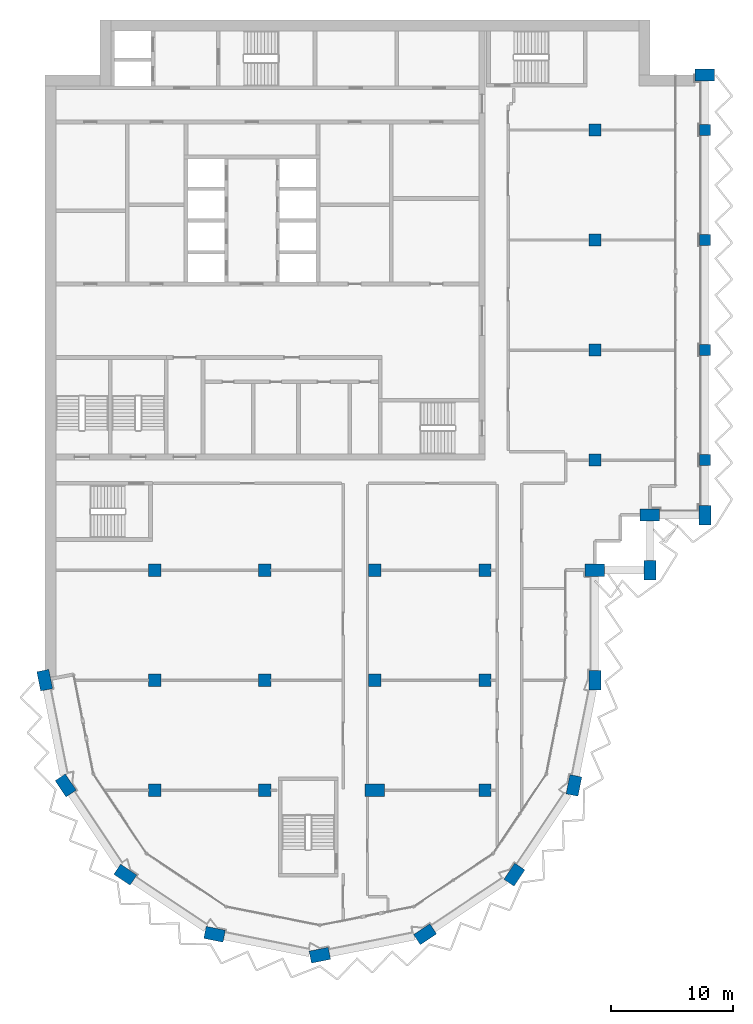
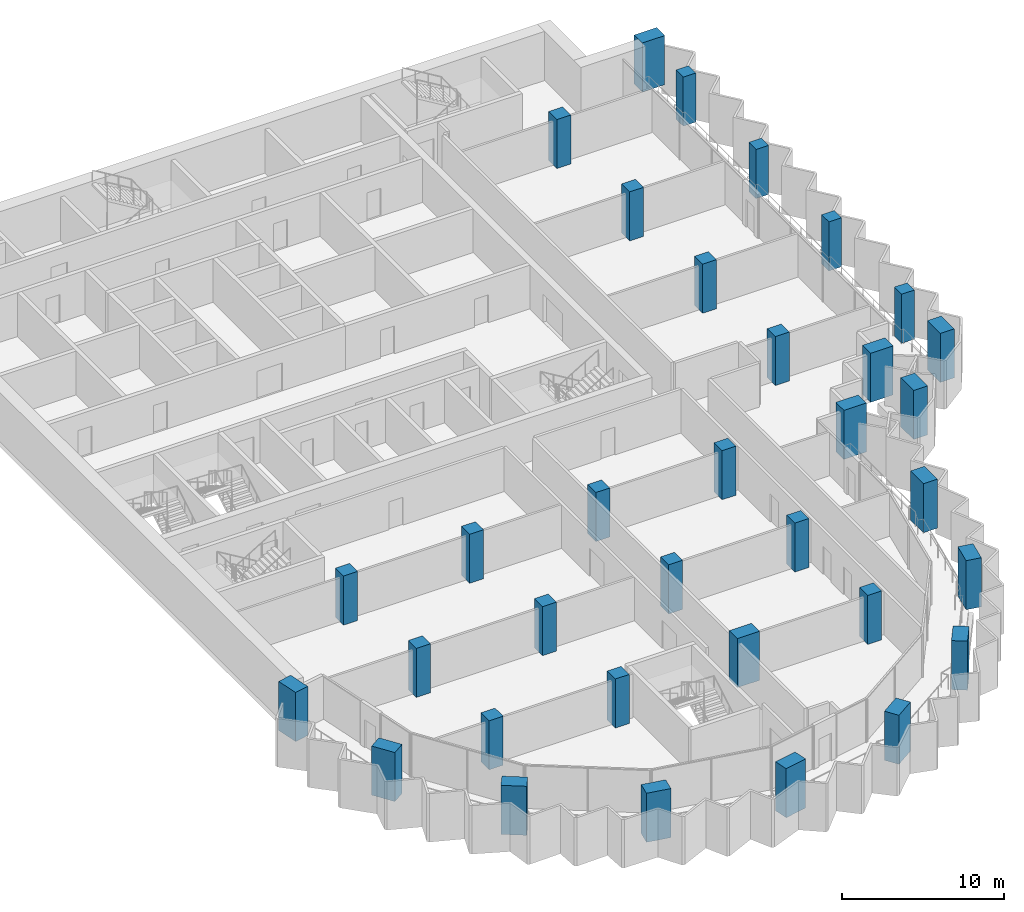
# One storey, part 1 of 16: 34 columns.
"""IFC4 building model written with IfcOpenShell, lengths in metres."""

from ifc_helpers import new_model, si_unit, direction, frame, origin, origin_2d, place, context, subcontext, project, spatial, rectangle, extrude, material, material_profile, profile_set, type_object, element, save


model = new_model("IFC4")

# Units and contexts
model_context = context("Model", 3, precision=1e-05, world=origin(), true_north=direction((0.0, 1.0)))
body_context = subcontext(model_context, "Body", "Model", "MODEL_VIEW")
ifc_project = project(units=[si_unit("LENGTHUNIT", "METRE"), si_unit("AREAUNIT", "SQUARE_METRE"), si_unit("VOLUMEUNIT", "CUBIC_METRE"), si_unit("PLANEANGLEUNIT", "RADIAN"), si_unit("MASSUNIT", "GRAM", prefix="KILO")], contexts=[model_context])

# Site, building, storey
site_placement = place(None, origin())
site = spatial("IfcSite", under=ifc_project, at=site_placement, CompositionType="ELEMENT")
building_placement = place(site_placement, origin())
building = spatial("IfcBuilding", under=site, at=building_placement, Name="Hunhe Ridgeline Campus", CompositionType="ELEMENT")
storey_placement = place(building_placement, frame((0.0, 0.0, 239.199951171875)))
storey = spatial("IfcBuildingStorey", under=building, at=storey_placement, Name="L61", CompositionType="ELEMENT", Elevation=239.199951171875)

# Columns
ifc_material = material(Name="Concrete C60", Category="concrete")
ifc_material_profile_1 = material_profile(ifc_material, rectangle(XDim=1.60009765625, YDim=1.0, at=origin_2d()))
ifc_profile_set_1 = profile_set([ifc_material_profile_1], Name="Concrete C60")
column_type_1 = type_object("IfcColumnType", Name="Megacolumn 1600x1000 Concrete C60", PredefinedType="COLUMN", material=ifc_profile_set_1)
for number, where, z_axis, x_axis, name in (
    (1, (22.5, 22.5, 0.0), (0.0, 0.0, 1.0), (0.980785280403, 0.195090322016, 0.0), "Column C14 R13 L61"),
    (2, (13.8896484375, 24.212646484375, 0.0), (0.0, 0.0, 1.0), (-0.980785280403, 0.195090322016, 0.0), "Column C14 R14 L61"),
    (3, (31.1103515625, 24.212646484375, 0.0), (0.0, 0.0, 1.0), (0.831469612303, 0.55557023302, 0.0), "Column C14 R15 L61"),
    (4, (6.590087890625, 29.090087890625, 0.0), (0.0, 0.0, 1.0), (-0.831469612303, 0.55557023302, 0.0), "Column C14 R18 L61"),
    (5, (38.409912109375, 29.090087890625, 0.0), (0.0, 0.0, 1.0), (0.55557023302, 0.831469612303, 0.0), "Column C14 R19 L61"),
    (6, (1.712646484375, 36.3896484375, 0.0), (0.0, 0.0, 1.0), (-0.55557023302, 0.831469612303, 0.0), "Column C14 R23 L61"),
    (7, (43.287353515625, 36.3896484375, 0.0), (0.0, 0.0, 1.0), (0.195090322016, 0.980785280403, 0.0), "Column C14 R24 L61"),
    (8, (0.0, 45.0, 0.0), (0.0, 0.0, 1.0), (-0.195090322016, 0.980785280403, 0.0), "Column C14 F1 L61"),
    (9, (45.0, 45.0, 0.0), (0.0, 0.0, 1.0), (0.0, 1.0, 0.0), "Column C14 F6 L61"),
    (10, (45.0, 54.0, 0.0), (0.0, 0.0, 1.0), (1.0, 0.0, 0.0), "Column C14 G6 L61"),
    (11, (49.5, 54.0, 0.0), (0.0, 0.0, 1.0), (0.0, 1.0, 0.0), "Column C14 R29 L61"),
    (12, (49.5, 58.5, 0.0), (0.0, 0.0, 1.0), (1.0, 0.0, 0.0), "Column C14 R33 L61"),
    (13, (54.0, 58.5, 0.0), (0.0, 0.0, 1.0), (0.0, 1.0, 0.0), "Column C14 R34 L61"),
    (14, (54.0, 94.5, 0.0), (0.0, 0.0, 1.0), (1.0, 0.0, 0.0), "Column C14 R41 L61"),
    (15, (27.0, 36.0, 0.0), (0.0, 0.0, 1.0), (1.0, 0.0, 0.0), "Column C14 E4 L61"),
):
    element("IfcColumn", number, at=place(storey_placement, frame(where, z_axis=z_axis, x_axis=x_axis)), inside=storey, type_object=column_type_1, Name=name, PredefinedType="COLUMN", context=body_context, shape_type="SweptSolid", body=[
        extrude(rectangle(XDim=1.60009765625, YDim=1.0, at=origin_2d()), origin(), (0.0, 0.0, 1.0), 3.699951171875),
    ])
ifc_material_profile_2 = material_profile(ifc_material, rectangle(XDim=1.0, YDim=1.0, at=origin_2d()))
ifc_profile_set_2 = profile_set([ifc_material_profile_2], Name="Concrete C60")
column_type_2 = type_object("IfcColumnType", Name="RC column 1000x1000 Concrete C60", PredefinedType="COLUMN", material=ifc_profile_set_2)
for number, where, z_axis, x_axis, name in (
    (16, (9.0, 36.0, 0.0), (0.0, 0.0, 1.0), (1.0, 0.0, 0.0), "Column C12 E2 L61"),
    (17, (9.0, 45.0, 0.0), (0.0, 0.0, 1.0), (1.0, 0.0, 0.0), "Column C12 F2 L61"),
    (18, (9.0, 54.0, 0.0), (0.0, 0.0, 1.0), (1.0, 0.0, 0.0), "Column C12 G2 L61"),
    (19, (18.0, 36.0, 0.0), (0.0, 0.0, 1.0), (1.0, 0.0, 0.0), "Column C12 E3 L61"),
    (20, (18.0, 45.0, 0.0), (0.0, 0.0, 1.0), (1.0, 0.0, 0.0), "Column C12 F3 L61"),
    (21, (18.0, 54.0, 0.0), (0.0, 0.0, 1.0), (1.0, 0.0, 0.0), "Column C12 G3 L61"),
    (22, (27.0, 45.0, 0.0), (0.0, 0.0, 1.0), (1.0, 0.0, 0.0), "Column C12 F4 L61"),
    (23, (27.0, 54.0, 0.0), (0.0, 0.0, 1.0), (1.0, 0.0, 0.0), "Column C12 G4 L61"),
    (24, (36.0, 36.0, 0.0), (0.0, 0.0, 1.0), (1.0, 0.0, 0.0), "Column C12 E5 L61"),
    (25, (36.0, 45.0, 0.0), (0.0, 0.0, 1.0), (1.0, 0.0, 0.0), "Column C12 F5 L61"),
    (26, (36.0, 54.0, 0.0), (0.0, 0.0, 1.0), (1.0, 0.0, 0.0), "Column C12 G5 L61"),
    (27, (45.0, 63.0, 0.0), (0.0, 0.0, 1.0), (1.0, 0.0, 0.0), "Column C12 H6 L61"),
    (28, (45.0, 72.0, 0.0), (0.0, 0.0, 1.0), (1.0, 0.0, 0.0), "Column C12 I6 L61"),
    (29, (45.0, 81.0, 0.0), (0.0, 0.0, 1.0), (1.0, 0.0, 0.0), "Column C12 J6 L61"),
    (30, (45.0, 90.0, 0.0), (0.0, 0.0, 1.0), (1.0, 0.0, 0.0), "Column C12 K6 L61"),
):
    element("IfcColumn", number, at=place(storey_placement, frame(where, z_axis=z_axis, x_axis=x_axis)), inside=storey, type_object=column_type_2, Name=name, PredefinedType="COLUMN", context=body_context, shape_type="SweptSolid", body=[
        extrude(rectangle(XDim=1.0, YDim=1.0, at=origin_2d()), origin(), (0.0, 0.0, 1.0), 3.699951171875),
    ])
ifc_material_profile_3 = material_profile(ifc_material, rectangle(XDim=0.89990234375, YDim=0.89990234375, at=origin_2d()))
ifc_profile_set_3 = profile_set([ifc_material_profile_3], Name="Concrete C60")
column_type_3 = type_object("IfcColumnType", Name="RC column 900x900 Concrete C60", PredefinedType="COLUMN", material=ifc_profile_set_3)
for number, where, z_axis, x_axis, name in (
    (31, (54.0, 63.0, 0.0), (0.0, 0.0, 1.0), (1.0, 0.0, 0.0), "Column C15 H7 L61"),
    (32, (54.0, 72.0, 0.0), (0.0, 0.0, 1.0), (1.0, 0.0, 0.0), "Column C15 I7 L61"),
    (33, (54.0, 81.0, 0.0), (0.0, 0.0, 1.0), (1.0, 0.0, 0.0), "Column C15 J7 L61"),
    (34, (54.0, 90.0, 0.0), (0.0, 0.0, 1.0), (1.0, 0.0, 0.0), "Column C15 K7 L61"),
):
    element("IfcColumn", number, at=place(storey_placement, frame(where, z_axis=z_axis, x_axis=x_axis)), inside=storey, type_object=column_type_3, Name=name, PredefinedType="COLUMN", context=body_context, shape_type="SweptSolid", body=[
        extrude(rectangle(XDim=0.89990234375, YDim=0.89990234375, at=origin_2d()), origin(), (0.0, 0.0, 1.0), 3.699951171875),
    ])

save(model, "model.ifc")
